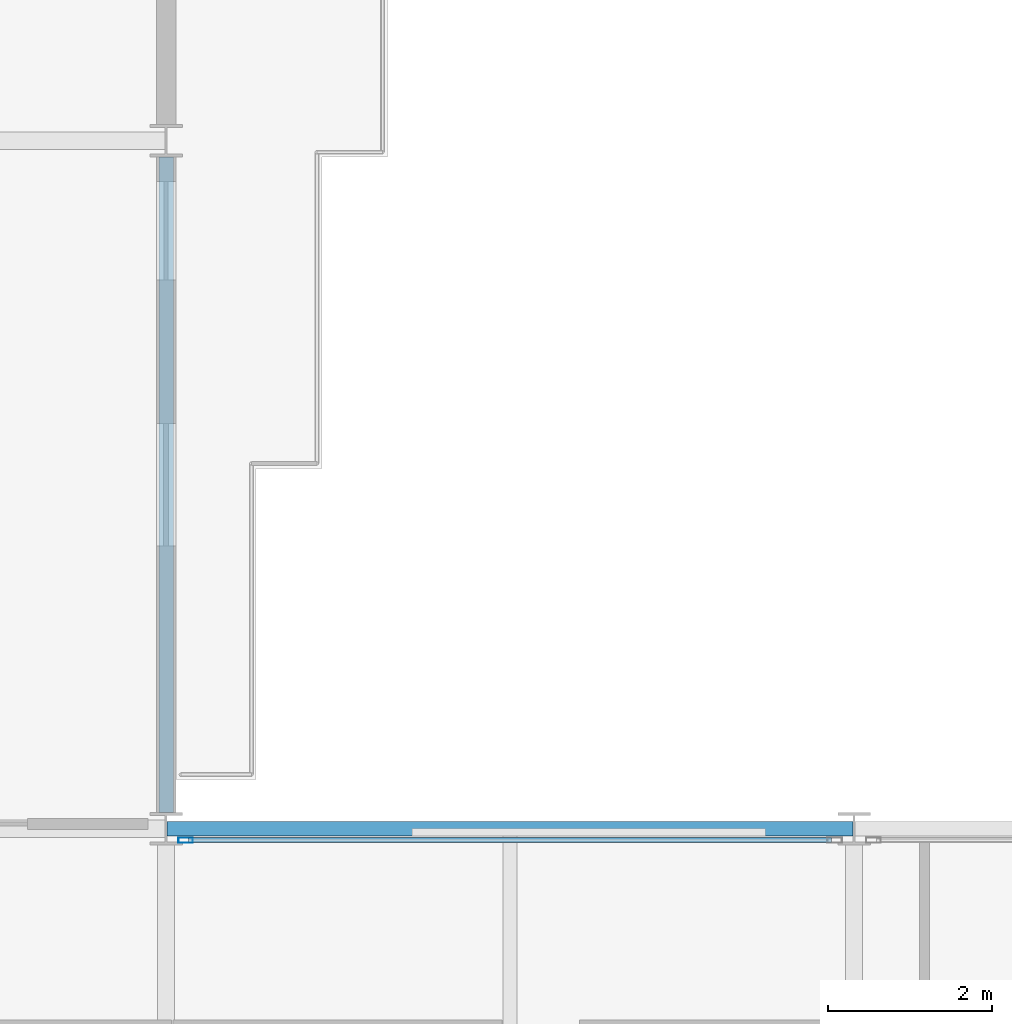
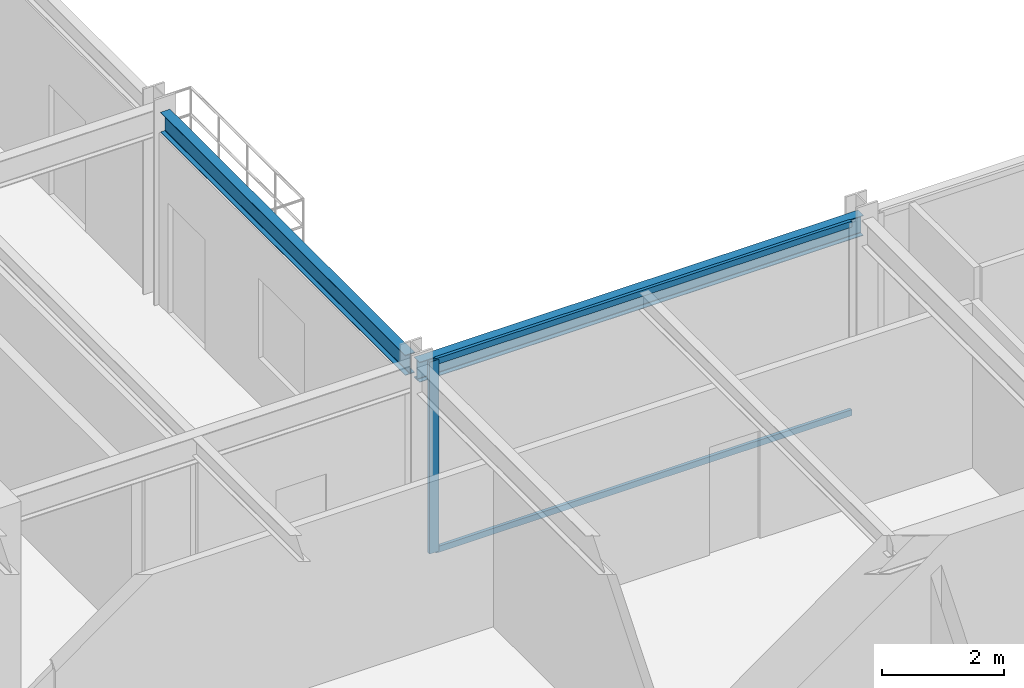
# One storey, part 12 of 29: 3 members, 2 beams, 1 element without a shape of its own.
"""IFC4 building model written with IfcOpenShell, lengths in metres."""

from ifc_helpers import new_model, si_unit, direction, frame, origin, origin_2d, place, context, subcontext, project, spatial, hollow_rectangle, i_section, extrude, material, layer, layer_set, material_profile, profile_set, type_object, element, aggregate, save


model = new_model("IFC4")

# Units and contexts
model_context = context("Model", 3, precision=1e-05, world=origin(), true_north=direction((0.0, 1.0)))
body_context = subcontext(model_context, "Body", "Model", "MODEL_VIEW")
ifc_project = project(units=[si_unit("LENGTHUNIT", "METRE"), si_unit("AREAUNIT", "SQUARE_METRE"), si_unit("VOLUMEUNIT", "CUBIC_METRE"), si_unit("PLANEANGLEUNIT", "RADIAN"), si_unit("MASSUNIT", "GRAM", prefix="KILO")], contexts=[model_context])

# Site, building, storey
site_placement = place(None, origin())
site = spatial("IfcSite", under=ifc_project, at=site_placement, CompositionType="ELEMENT")
building_placement = place(site_placement, origin())
building = spatial("IfcBuilding", under=site, at=building_placement, Name="Nerrivon Quay Data Exchange", CompositionType="ELEMENT")
storey_placement = place(building_placement, frame((0.0, 0.0, 121.300048828125)))
storey = spatial("IfcBuildingStorey", under=building, at=storey_placement, Name="L28", CompositionType="ELEMENT", Elevation=121.300048828125)

# Beams
ifc_material_1 = material(Name="Steel Grade 350", Category="steel")
ifc_material_profile_1 = material_profile(ifc_material_1, i_section(OverallWidth=0.177978515625, OverallDepth=0.403076171875, WebThickness=0.007568359375, FlangeThickness=0.010986328125, FilletRadius=0.011474609375, at=origin_2d()), Name="410UB53.7")
ifc_profile_set_1 = profile_set([ifc_material_profile_1], Name="Steel Grade 350")
beam_type = type_object("IfcBeamType", Name="BM-SP2-410UB54", PredefinedType="SPANDREL", material=ifc_profile_set_1)
beam_1_placement = place(storey_placement, frame((25.21240234375, 25.199951171875, 3.62353515625), z_axis=(1.0, 0.0, 0.0), x_axis=(0.0, 1.0, 0.0)))
element("IfcBeam", 1, at=beam_1_placement, inside=storey, type_object=beam_type, Name="L28 EW Girder Y=25.2 (25.2..33.6)", PredefinedType="SPANDREL", context=body_context, shape_type="SweptSolid", body=[
    extrude(i_section(OverallWidth=0.177978515625, OverallDepth=0.403076171875, WebThickness=0.007568359375, FlangeThickness=0.010986328125, FilletRadius=0.011474609375, at=origin_2d()), origin(), (0.0, 0.0, 1.0), 8.375),
])
beam_2_placement = place(storey_placement, frame((25.199951171875, 25.39990234375, 3.62353515625), z_axis=(0.0, 1.0, 0.0), x_axis=(-1.0, 0.0, 0.0)))
element("IfcBeam", 2, at=beam_2_placement, inside=storey, type_object=beam_type, Name="L28 NS Girder X=25.2 (25.2..33.6)", PredefinedType="SPANDREL", context=body_context, shape_type="SweptSolid", body=[
    extrude(i_section(OverallWidth=0.177978515625, OverallDepth=0.403076171875, WebThickness=0.007568359375, FlangeThickness=0.010986328125, FilletRadius=0.011474609375, at=origin_2d()), origin(), (0.0, 0.0, 1.0), 8.0),
])

# Curtain wall, members
ifc_material_2 = material(Name="Anodised aluminium 6063-T6", Category="aluminium")
ifc_layer = layer(ifc_material_2, 0.2099609375)
ifc_layer_set = layer_set([ifc_layer], Name="Anodised aluminium 6063-T6")
curtain_wall_type = type_object("IfcCurtainWallType", Name="CW-SYS-02", PredefinedType="NOTDEFINED", material=ifc_layer_set)
curtain_wall_placement = place(storey_placement, origin())
curtain_wall = element("IfcCurtainWall", 3, at=curtain_wall_placement, inside=storey, type_object=curtain_wall_type, Name="L28 Unitised Curtain Wall 26", PredefinedType="NOTDEFINED")
ifc_material_profile_2 = material_profile(ifc_material_2, hollow_rectangle(XDim=0.06494140625, YDim=0.179931640625, WallThickness=0.00341796875, at=origin_2d()), Name="ALU-MULL-180x65")
ifc_profile_set_2 = profile_set([ifc_material_profile_2], Name="Anodised aluminium 6063-T6")
member_type_1 = type_object("IfcMemberType", Name="CWM-180x65", PredefinedType="MULLION", material=ifc_profile_set_2)
member_1_placement = place(storey_placement, frame((25.4375, 25.06005859375, 0.0), z_axis=(0.0, 0.0, 1.0), x_axis=(0.0, 1.0, 0.0)))
member_1 = element("IfcMember", 4, at=member_1_placement, type_object=member_type_1, Name="CW02 mullion 1", PredefinedType="MULLION", context=body_context, shape_type="SweptSolid", body=[
    extrude(hollow_rectangle(XDim=0.06494140625, YDim=0.179931640625, WallThickness=0.00341796875, at=origin_2d()), origin(), (0.0, 0.0, 1.0), 3.824951171875),
])
ifc_material_profile_3 = material_profile(ifc_material_2, hollow_rectangle(XDim=0.06005859375, YDim=0.1201171875, WallThickness=0.003173828125, at=origin_2d()), Name="ALU-TRAN-120x60")
ifc_profile_set_3 = profile_set([ifc_material_profile_3], Name="Anodised aluminium 6063-T6")
member_type_2 = type_object("IfcMemberType", Name="CWT-120x60", PredefinedType="USERDEFINED", material=ifc_profile_set_3)
member_2_placement = place(storey_placement, frame((25.47509765625, 25.06005859375, 0.032470703125), z_axis=(1.0, 0.0, 0.0), x_axis=(0.0, 1.0, 0.0)))
member_2 = element("IfcMember", 5, at=member_2_placement, type_object=member_type_2, Name="CW02 transom 1.1", ObjectType="TRANSOM", PredefinedType="USERDEFINED", context=body_context, shape_type="SweptSolid", body=[
    extrude(hollow_rectangle(XDim=0.06005859375, YDim=0.1201171875, WallThickness=0.003173828125, at=origin_2d()), origin(), (0.0, 0.0, 1.0), 7.849853515625),
])
member_3_placement = place(storey_placement, frame((25.47509765625, 25.06005859375, 3.79248046875), z_axis=(1.0, 0.0, 0.0), x_axis=(0.0, 1.0, 0.0)))
member_3 = element("IfcMember", 6, at=member_3_placement, type_object=member_type_2, Name="CW02 transom 1.2", ObjectType="TRANSOM", PredefinedType="USERDEFINED", context=body_context, shape_type="SweptSolid", body=[
    extrude(hollow_rectangle(XDim=0.06005859375, YDim=0.1201171875, WallThickness=0.003173828125, at=origin_2d()), origin(), (0.0, 0.0, 1.0), 7.849853515625),
])
aggregate(curtain_wall, [member_1, member_2, member_3])

save(model, "model.ifc")
